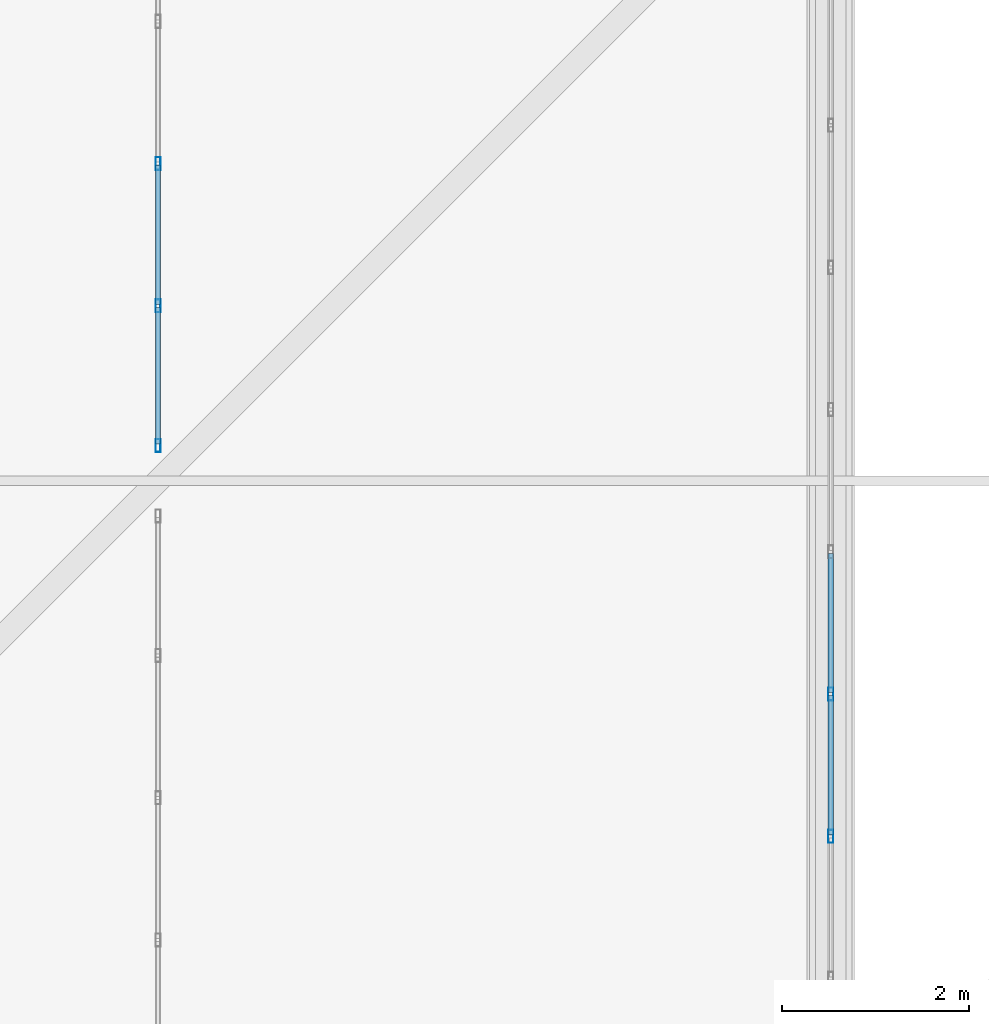
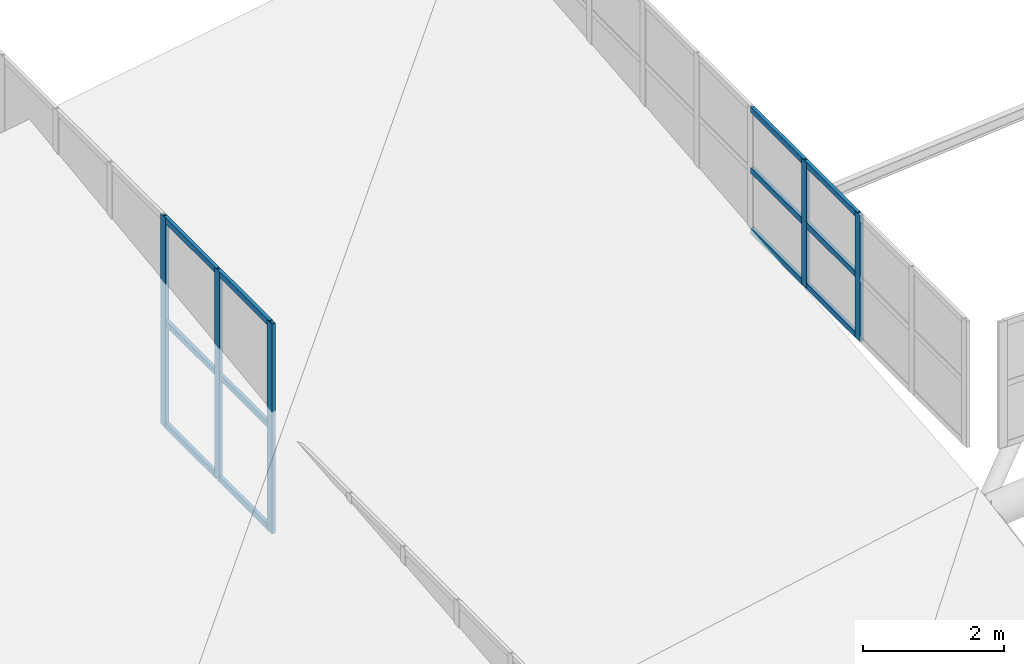
# One storey, part 54 of 397: 17 members, 2 elements without a shape of their own.
"""IFC4 building model written with IfcOpenShell, lengths in metres."""

from ifc_helpers import new_model, si_unit, direction, frame, origin, origin_2d, place, context, subcontext, project, spatial, hollow_rectangle, extrude, material, material_profile, profile_set, type_object, element, aggregate, save


model = new_model("IFC4")

# Units and contexts
model_context = context("Model", 3, precision=1e-05, world=origin(), true_north=direction((0.0, 1.0)))
body_context = subcontext(model_context, "Body", "Model", "MODEL_VIEW")
ifc_project = project(units=[si_unit("LENGTHUNIT", "METRE"), si_unit("AREAUNIT", "SQUARE_METRE"), si_unit("VOLUMEUNIT", "CUBIC_METRE"), si_unit("PLANEANGLEUNIT", "RADIAN"), si_unit("MASSUNIT", "GRAM", prefix="KILO")], contexts=[model_context])

# Site, building, storey
site_placement = place(None, origin())
site = spatial("IfcSite", under=ifc_project, at=site_placement, CompositionType="ELEMENT")
building_placement = place(site_placement, origin())
building = spatial("IfcBuilding", under=site, at=building_placement, Name="Qandorah Velis Arena", CompositionType="ELEMENT")
storey_placement = place(building_placement, frame((0.0, 0.0, 27.5)))
storey = spatial("IfcBuildingStorey", under=building, at=storey_placement, Name="RF", CompositionType="ELEMENT", Elevation=27.5)

# Curtain wall, members
ifc_material_1 = material(Name="Solar-control low-E double glazing", Category="glass")
curtain_wall_type_1 = type_object("IfcCurtainWallType", Name="ARC-CW-SYS08", PredefinedType="USERDEFINED", material=ifc_material_1)
curtain_wall_1_placement = place(storey_placement, origin())
curtain_wall_1 = element("IfcCurtainWall", 1, at=curtain_wall_1_placement, inside=storey, type_object=curtain_wall_type_1, Name="Unitised curtain wall MON-1-2", ObjectType="UNITISED CURTAIN WALL", PredefinedType="USERDEFINED")
ifc_material_2 = material(Name="Champagne-bronze anodized aluminium 6063-T6", Category="aluminium")
ifc_material_profile_1 = material_profile(ifc_material_2, hollow_rectangle(XDim=0.054931640625, YDim=0.139892578125, WallThickness=0.0029296875, at=origin_2d()), Name="ALU MULLION 55x140")
ifc_profile_set_1 = profile_set([ifc_material_profile_1], Name="Champagne-bronze anodized aluminium 6063-T6")
member_type_1 = type_object("IfcMemberType", Name="ARC-CWM-140", PredefinedType="MULLION", material=ifc_profile_set_1)
member_1_placement = place(storey_placement, frame((21.60009765625, 36.37744140625, 5.13427734375), z_axis=(0.0, 0.0, 1.0), x_axis=(-1.0, 0.0, 0.0)))
member_1 = element("IfcMember", 2, at=member_1_placement, type_object=member_type_1, Name="CW08 mullion 1", PredefinedType="MULLION", context=body_context, shape_type="SweptSolid", body=[
    extrude(hollow_rectangle(XDim=0.054931640625, YDim=0.139892578125, WallThickness=0.0029296875, at=origin_2d()), origin(), (0.0, 0.0, 1.0), 3.630126953125),
])
member_2_placement = place(storey_placement, frame((21.60009765625, 37.872314453125, 5.13427734375), z_axis=(0.0, 0.0, 1.0), x_axis=(-1.0, 0.0, 0.0)))
member_2 = element("IfcMember", 3, at=member_2_placement, type_object=member_type_1, Name="CW08 mullion 2", PredefinedType="MULLION", context=body_context, shape_type="SweptSolid", body=[
    extrude(hollow_rectangle(XDim=0.054931640625, YDim=0.139892578125, WallThickness=0.0029296875, at=origin_2d()), origin(), (0.0, 0.0, 1.0), 3.630126953125),
])
member_3_placement = place(storey_placement, frame((21.60009765625, 39.39453125, 5.13427734375), z_axis=(0.0, 0.0, 1.0), x_axis=(-1.0, 0.0, 0.0)))
member_3 = element("IfcMember", 4, at=member_3_placement, type_object=member_type_1, Name="CW08 mullion 3", PredefinedType="MULLION", context=body_context, shape_type="SweptSolid", body=[
    extrude(hollow_rectangle(XDim=0.054931640625, YDim=0.139892578125, WallThickness=0.0029296875, at=origin_2d()), origin(), (0.0, 0.0, 1.0), 3.630126953125),
])

curtain_wall_type_2 = type_object("IfcCurtainWallType", Name="ARC-CW-SYS06", PredefinedType="USERDEFINED", material=ifc_material_1)
curtain_wall_2_placement = place(storey_placement, origin())
curtain_wall_2 = element("IfcCurtainWall", 5, at=curtain_wall_2_placement, inside=storey, type_object=curtain_wall_type_2, Name="Unitised curtain wall OCULUS-1-1", ObjectType="UNITISED CURTAIN WALL", PredefinedType="USERDEFINED")
member_4_placement = place(storey_placement, frame((28.800048828125, 32.1943359375, 8.470947265625), z_axis=(0.0, 0.0, 1.0), x_axis=(-1.0, 0.0, 0.0)))
member_4 = element("IfcMember", 6, at=member_4_placement, type_object=member_type_1, Name="CW06 mullion 3", PredefinedType="MULLION", context=body_context, shape_type="SweptSolid", body=[
    extrude(hollow_rectangle(XDim=0.054931640625, YDim=0.139892578125, WallThickness=0.0029296875, at=origin_2d()), origin(), (0.0, 0.0, 1.0), 2.179931640625),
])
member_5_placement = place(storey_placement, frame((28.800048828125, 33.716552734375, 8.470947265625), z_axis=(0.0, 0.0, 1.0), x_axis=(-1.0, 0.0, 0.0)))
member_5 = element("IfcMember", 7, at=member_5_placement, type_object=member_type_1, Name="CW06 mullion 4", PredefinedType="MULLION", context=body_context, shape_type="SweptSolid", body=[
    extrude(hollow_rectangle(XDim=0.054931640625, YDim=0.139892578125, WallThickness=0.0029296875, at=origin_2d()), origin(), (0.0, 0.0, 1.0), 2.179931640625),
])

# Member
ifc_material_profile_2 = material_profile(ifc_material_2, hollow_rectangle(XDim=0.054931640625, YDim=0.10009765625, WallThickness=0.0029296875, at=origin_2d()), Name="ALU TRANSOM 55x100")
ifc_profile_set_2 = profile_set([ifc_material_profile_2], Name="Champagne-bronze anodized aluminium 6063-T6")
member_type_2 = type_object("IfcMemberType", Name="ARC-CWT-100", PredefinedType="USERDEFINED", material=ifc_profile_set_2)
member_6_placement = place(storey_placement, frame((21.60009765625, 36.39306640625, 5.1767578125), z_axis=(0.0, 1.0, 0.0), x_axis=(-1.0, 0.0, 0.0)))
member_6 = element("IfcMember", 8, at=member_6_placement, type_object=member_type_2, Name="CW08 transom 1.1", ObjectType="TRANSOM", PredefinedType="USERDEFINED", context=body_context, shape_type="SweptSolid", body=[
    extrude(hollow_rectangle(XDim=0.054931640625, YDim=0.10009765625, WallThickness=0.0029296875, at=origin_2d()), origin(), (0.0, 0.0, 1.0), 1.463623046875),
])

member_7_placement = place(storey_placement, frame((21.60009765625, 36.39306640625, 6.94921875), z_axis=(0.0, 1.0, 0.0), x_axis=(-1.0, 0.0, 0.0)))
member_7 = element("IfcMember", 9, at=member_7_placement, type_object=member_type_2, Name="CW08 transom 1.2", ObjectType="TRANSOM", PredefinedType="USERDEFINED", context=body_context, shape_type="SweptSolid", body=[
    extrude(hollow_rectangle(XDim=0.054931640625, YDim=0.10009765625, WallThickness=0.0029296875, at=origin_2d()), origin(), (0.0, 0.0, 1.0), 1.463623046875),
])

member_8_placement = place(storey_placement, frame((21.60009765625, 36.39306640625, 8.7216796875), z_axis=(0.0, 1.0, 0.0), x_axis=(-1.0, 0.0, 0.0)))
member_8 = element("IfcMember", 10, at=member_8_placement, type_object=member_type_2, Name="CW08 transom 1.3", ObjectType="TRANSOM", PredefinedType="USERDEFINED", context=body_context, shape_type="SweptSolid", body=[
    extrude(hollow_rectangle(XDim=0.054931640625, YDim=0.10009765625, WallThickness=0.0029296875, at=origin_2d()), origin(), (0.0, 0.0, 1.0), 1.463623046875),
])

member_9_placement = place(storey_placement, frame((21.60009765625, 37.8876953125, 5.1767578125), z_axis=(0.0, 1.0, 0.0), x_axis=(-1.0, 0.0, 0.0)))
member_9 = element("IfcMember", 11, at=member_9_placement, type_object=member_type_2, Name="CW08 transom 2.1", ObjectType="TRANSOM", PredefinedType="USERDEFINED", context=body_context, shape_type="SweptSolid", body=[
    extrude(hollow_rectangle(XDim=0.054931640625, YDim=0.10009765625, WallThickness=0.0029296875, at=origin_2d()), origin(), (0.0, 0.0, 1.0), 1.4912109375),
])

member_10_placement = place(storey_placement, frame((21.60009765625, 37.8876953125, 6.94921875), z_axis=(0.0, 1.0, 0.0), x_axis=(-1.0, 0.0, 0.0)))
member_10 = element("IfcMember", 12, at=member_10_placement, type_object=member_type_2, Name="CW08 transom 2.2", ObjectType="TRANSOM", PredefinedType="USERDEFINED", context=body_context, shape_type="SweptSolid", body=[
    extrude(hollow_rectangle(XDim=0.054931640625, YDim=0.10009765625, WallThickness=0.0029296875, at=origin_2d()), origin(), (0.0, 0.0, 1.0), 1.4912109375),
])

member_11_placement = place(storey_placement, frame((21.60009765625, 37.8876953125, 8.7216796875), z_axis=(0.0, 1.0, 0.0), x_axis=(-1.0, 0.0, 0.0)))
member_11 = element("IfcMember", 13, at=member_11_placement, type_object=member_type_2, Name="CW08 transom 2.3", ObjectType="TRANSOM", PredefinedType="USERDEFINED", context=body_context, shape_type="SweptSolid", body=[
    extrude(hollow_rectangle(XDim=0.054931640625, YDim=0.10009765625, WallThickness=0.0029296875, at=origin_2d()), origin(), (0.0, 0.0, 1.0), 1.4912109375),
])

aggregate(curtain_wall_1, [member_1, member_2, member_3, member_6, member_7, member_8, member_9, member_10, member_11])

member_12_placement = place(storey_placement, frame((28.800048828125, 32.2099609375, 8.513427734375), z_axis=(0.0, 1.0, 0.0), x_axis=(-1.0, 0.0, 0.0)))
member_12 = element("IfcMember", 14, at=member_12_placement, type_object=member_type_2, Name="CW06 transom 3.1", ObjectType="TRANSOM", PredefinedType="USERDEFINED", context=body_context, shape_type="SweptSolid", body=[
    extrude(hollow_rectangle(XDim=0.054931640625, YDim=0.10009765625, WallThickness=0.0029296875, at=origin_2d()), origin(), (0.0, 0.0, 1.0), 1.4912109375),
])

member_13_placement = place(storey_placement, frame((28.800048828125, 32.2099609375, 9.56103515625), z_axis=(0.0, 1.0, 0.0), x_axis=(-1.0, 0.0, 0.0)))
member_13 = element("IfcMember", 15, at=member_13_placement, type_object=member_type_2, Name="CW06 transom 3.2", ObjectType="TRANSOM", PredefinedType="USERDEFINED", context=body_context, shape_type="SweptSolid", body=[
    extrude(hollow_rectangle(XDim=0.054931640625, YDim=0.10009765625, WallThickness=0.0029296875, at=origin_2d()), origin(), (0.0, 0.0, 1.0), 1.4912109375),
])

member_14_placement = place(storey_placement, frame((28.800048828125, 32.2099609375, 10.6083984375), z_axis=(0.0, 1.0, 0.0), x_axis=(-1.0, 0.0, 0.0)))
member_14 = element("IfcMember", 16, at=member_14_placement, type_object=member_type_2, Name="CW06 transom 3.3", ObjectType="TRANSOM", PredefinedType="USERDEFINED", context=body_context, shape_type="SweptSolid", body=[
    extrude(hollow_rectangle(XDim=0.054931640625, YDim=0.10009765625, WallThickness=0.0029296875, at=origin_2d()), origin(), (0.0, 0.0, 1.0), 1.4912109375),
])

member_15_placement = place(storey_placement, frame((28.800048828125, 33.732177734375, 8.513427734375), z_axis=(0.0, 1.0, 0.0), x_axis=(-1.0, 0.0, 0.0)))
member_15 = element("IfcMember", 17, at=member_15_placement, type_object=member_type_2, Name="CW06 transom 4.1", ObjectType="TRANSOM", PredefinedType="USERDEFINED", context=body_context, shape_type="SweptSolid", body=[
    extrude(hollow_rectangle(XDim=0.054931640625, YDim=0.10009765625, WallThickness=0.0029296875, at=origin_2d()), origin(), (0.0, 0.0, 1.0), 1.4912109375),
])

member_16_placement = place(storey_placement, frame((28.800048828125, 33.732177734375, 9.56103515625), z_axis=(0.0, 1.0, 0.0), x_axis=(-1.0, 0.0, 0.0)))
member_16 = element("IfcMember", 18, at=member_16_placement, type_object=member_type_2, Name="CW06 transom 4.2", ObjectType="TRANSOM", PredefinedType="USERDEFINED", context=body_context, shape_type="SweptSolid", body=[
    extrude(hollow_rectangle(XDim=0.054931640625, YDim=0.10009765625, WallThickness=0.0029296875, at=origin_2d()), origin(), (0.0, 0.0, 1.0), 1.4912109375),
])

member_17_placement = place(storey_placement, frame((28.800048828125, 33.732177734375, 10.6083984375), z_axis=(0.0, 1.0, 0.0), x_axis=(-1.0, 0.0, 0.0)))
member_17 = element("IfcMember", 19, at=member_17_placement, type_object=member_type_2, Name="CW06 transom 4.3", ObjectType="TRANSOM", PredefinedType="USERDEFINED", context=body_context, shape_type="SweptSolid", body=[
    extrude(hollow_rectangle(XDim=0.054931640625, YDim=0.10009765625, WallThickness=0.0029296875, at=origin_2d()), origin(), (0.0, 0.0, 1.0), 1.4912109375),
])

aggregate(curtain_wall_2, [member_4, member_5, member_12, member_13, member_14, member_15, member_16, member_17])

save(model, "model.ifc")
